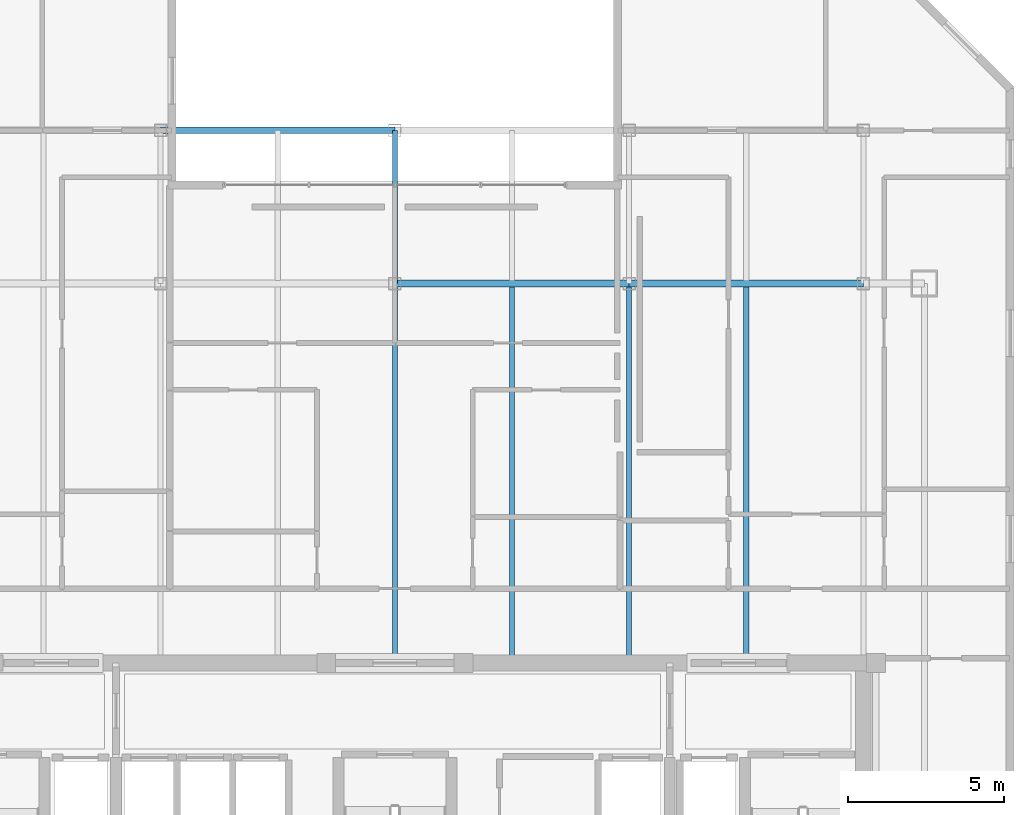
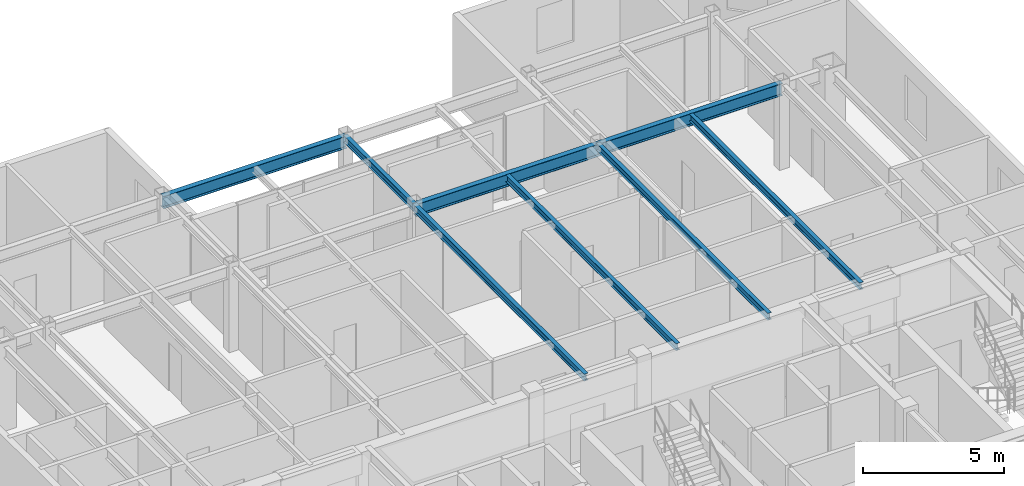
# One storey, part 3 of 10: 8 beams.
"""IFC4 building model written with IfcOpenShell, lengths in metres."""

from ifc_helpers import new_model, si_unit, direction, frame, origin, origin_2d, place, context, subcontext, project, spatial, i_section, extrude, material, material_profile, profile_set, type_object, element, save


model = new_model("IFC4")

# Units and contexts
model_context = context("Model", 3, precision=1e-05, world=origin(), true_north=direction((0.0, 1.0)))
body_context = subcontext(model_context, "Body", "Model", "MODEL_VIEW")
ifc_project = project(units=[si_unit("LENGTHUNIT", "METRE"), si_unit("AREAUNIT", "SQUARE_METRE"), si_unit("VOLUMEUNIT", "CUBIC_METRE"), si_unit("PLANEANGLEUNIT", "RADIAN"), si_unit("MASSUNIT", "GRAM", prefix="KILO")], contexts=[model_context])

# Site, building, storey
site_placement = place(None, origin())
site = spatial("IfcSite", under=ifc_project, at=site_placement, CompositionType="ELEMENT")
building_placement = place(site_placement, origin())
building = spatial("IfcBuilding", under=site, at=building_placement, Name="Ventersveld Concourse Tower", CompositionType="ELEMENT")
storey_placement = place(building_placement, frame((0.0, 0.0, 313.050048828125)))
storey = spatial("IfcBuildingStorey", under=building, at=storey_placement, Name="L77", CompositionType="ELEMENT", Elevation=313.050048828125)

# Beams
ifc_material = material(Name="Structural steel S355J2", Category="steel")
ifc_material_profile_1 = material_profile(ifc_material, i_section(OverallWidth=0.1650390625, OverallDepth=0.303466796875, WebThickness=0.006103515625, FlangeThickness=0.01025390625, FilletRadius=0.0087890625, at=origin_2d()), Name="UB 305x165x40")
ifc_profile_set_1 = profile_set([ifc_material_profile_1], Name="Structural steel S355J2")
beam_type_1 = type_object("IfcBeamType", Name="BM-UB305", PredefinedType="BEAM", material=ifc_profile_set_1)
beam_1_placement = place(storey_placement, frame((28.75, 11.449951171875, 3.498291015625), z_axis=(0.0, 1.0, 0.0), x_axis=(-1.0, 0.0, 0.0)))
element("IfcBeam", 1, at=beam_1_placement, inside=storey, type_object=beam_type_1, Name="L77 N-S Composite Floor Beam South X=28.75", PredefinedType="BEAM", context=body_context, shape_type="SweptSolid", body=[
    extrude(i_section(OverallWidth=0.1650390625, OverallDepth=0.303466796875, WebThickness=0.006103515625, FlangeThickness=0.01025390625, FilletRadius=0.0087890625, at=origin_2d()), origin(), (0.0, 0.0, 1.0), 12.150146484375),
])
beam_2_placement = place(storey_placement, frame((28.75, 23.60009765625, 3.498291015625), z_axis=(0.0, 1.0, 0.0), x_axis=(-1.0, 0.0, 0.0)))
element("IfcBeam", 2, at=beam_2_placement, inside=storey, type_object=beam_type_1, Name="L77 N-S Upper-Zone Floor Beam X=28.75", PredefinedType="BEAM", context=body_context, shape_type="SweptSolid", body=[
    extrude(i_section(OverallWidth=0.1650390625, OverallDepth=0.303466796875, WebThickness=0.006103515625, FlangeThickness=0.01025390625, FilletRadius=0.0087890625, at=origin_2d()), origin(), (0.0, 0.0, 1.0), 4.89990234375),
])
beam_3_placement = place(storey_placement, frame((32.5, 11.449951171875, 3.498291015625), z_axis=(0.0, 1.0, 0.0), x_axis=(-1.0, 0.0, 0.0)))
element("IfcBeam", 3, at=beam_3_placement, inside=storey, type_object=beam_type_1, Name="L77 N-S Composite Floor Beam South X=32.50", PredefinedType="BEAM", context=body_context, shape_type="SweptSolid", body=[
    extrude(i_section(OverallWidth=0.1650390625, OverallDepth=0.303466796875, WebThickness=0.006103515625, FlangeThickness=0.01025390625, FilletRadius=0.0087890625, at=origin_2d()), origin(), (0.0, 0.0, 1.0), 12.054931640625),
])
beam_4_placement = place(storey_placement, frame((36.25, 11.449951171875, 3.498291015625), z_axis=(0.0, 1.0, 0.0), x_axis=(-1.0, 0.0, 0.0)))
element("IfcBeam", 4, at=beam_4_placement, inside=storey, type_object=beam_type_1, Name="L77 N-S Composite Floor Beam South X=36.25", PredefinedType="BEAM", context=body_context, shape_type="SweptSolid", body=[
    extrude(i_section(OverallWidth=0.1650390625, OverallDepth=0.303466796875, WebThickness=0.006103515625, FlangeThickness=0.01025390625, FilletRadius=0.0087890625, at=origin_2d()), origin(), (0.0, 0.0, 1.0), 12.150146484375),
])
beam_5_placement = place(storey_placement, frame((40.0, 11.449951171875, 3.498291015625), z_axis=(0.0, 1.0, 0.0), x_axis=(-1.0, 0.0, 0.0)))
element("IfcBeam", 5, at=beam_5_placement, inside=storey, type_object=beam_type_1, Name="L77 N-S Composite Floor Beam South X=40.00", PredefinedType="BEAM", context=body_context, shape_type="SweptSolid", body=[
    extrude(i_section(OverallWidth=0.1650390625, OverallDepth=0.303466796875, WebThickness=0.006103515625, FlangeThickness=0.01025390625, FilletRadius=0.0087890625, at=origin_2d()), origin(), (0.0, 0.0, 1.0), 12.054931640625),
])
ifc_material_profile_2 = material_profile(ifc_material, i_section(OverallWidth=0.209228515625, OverallDepth=0.533203125, WebThickness=0.010009765625, FlangeThickness=0.015625, FilletRadius=0.0126953125, at=origin_2d()), Name="UB 533x210x92")
ifc_profile_set_2 = profile_set([ifc_material_profile_2], Name="Structural steel S355J2")
beam_type_2 = type_object("IfcBeamType", Name="GRD-UB533", PredefinedType="T_BEAM", material=ifc_profile_set_2)
for number, where, z_axis, x_axis, name in (
    (6, (28.75, 23.60009765625, 3.38330078125), (1.0, 0.0, 0.0), (0.0, 1.0, 0.0), "L77 Primary E-W Grid Girder Y=23.60 #4"),
    (7, (36.25, 23.60009765625, 3.38330078125), (1.0, 0.0, 0.0), (0.0, 1.0, 0.0), "L77 Primary E-W Grid Girder Y=23.60 #5"),
    (8, (21.25, 28.5, 3.38330078125), (1.0, 0.0, 0.0), (0.0, 1.0, 0.0), "L77 Upper-North E-W Girder Y=28.50 #2"),
):
    element("IfcBeam", number, at=place(storey_placement, frame(where, z_axis=z_axis, x_axis=x_axis)), inside=storey, type_object=beam_type_2, Name=name, PredefinedType="T_BEAM", context=body_context, shape_type="SweptSolid", body=[
        extrude(i_section(OverallWidth=0.209228515625, OverallDepth=0.533203125, WebThickness=0.010009765625, FlangeThickness=0.015625, FilletRadius=0.0126953125, at=origin_2d()), origin(), (0.0, 0.0, 1.0), 7.5),
    ])

save(model, "model.ifc")
